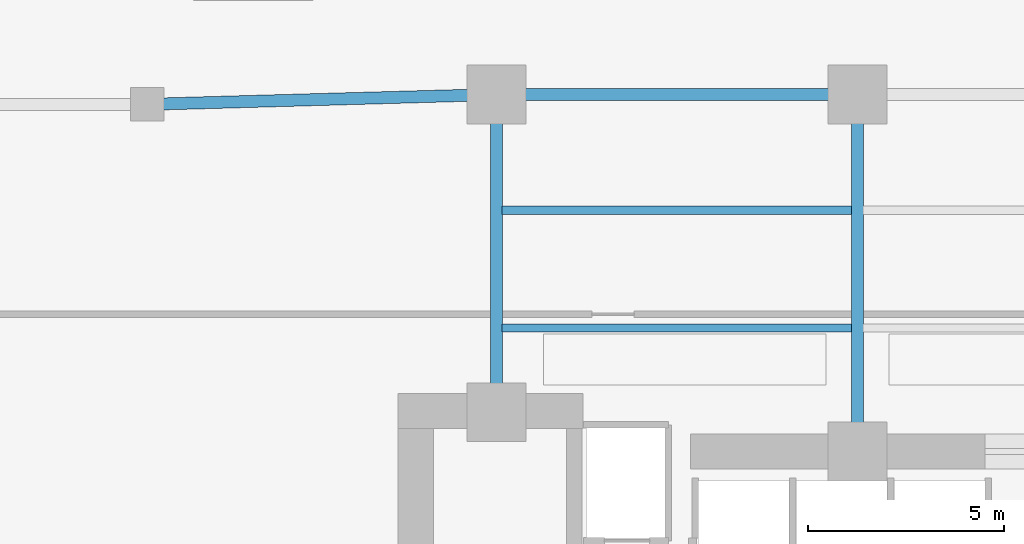
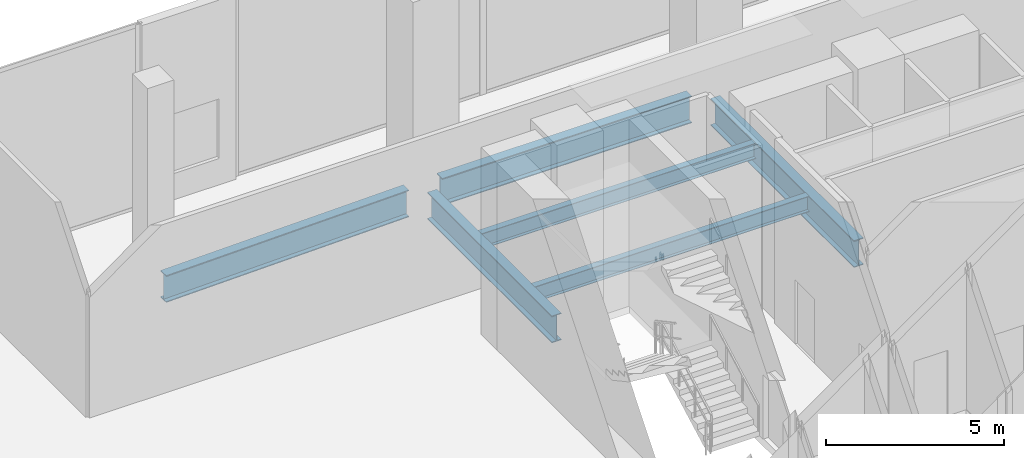
# One storey, part 13 of 30: 6 beams.
"""IFC4 building model written with IfcOpenShell, lengths in metres."""

from ifc_helpers import new_model, si_unit, direction, frame, origin, origin_2d, place, context, subcontext, project, spatial, i_section, extrude, material, material_profile, profile_set, type_object, element, save


model = new_model("IFC4")

# Units and contexts
model_context = context("Model", 3, precision=1e-05, world=origin(), true_north=direction((0.0, 1.0)))
body_context = subcontext(model_context, "Body", "Model", "MODEL_VIEW")
ifc_project = project(units=[si_unit("LENGTHUNIT", "METRE"), si_unit("AREAUNIT", "SQUARE_METRE"), si_unit("VOLUMEUNIT", "CUBIC_METRE"), si_unit("PLANEANGLEUNIT", "RADIAN"), si_unit("MASSUNIT", "GRAM", prefix="KILO")], contexts=[model_context])

# Site, building, storey
site_placement = place(None, origin())
site = spatial("IfcSite", under=ifc_project, at=site_placement, CompositionType="ELEMENT")
building_placement = place(site_placement, origin())
building = spatial("IfcBuilding", under=site, at=building_placement, Name="Zuhayl Quay Hotel", CompositionType="ELEMENT")
storey_placement = place(building_placement, frame((0.0, 0.0, 11.39990234375)))
storey = spatial("IfcBuildingStorey", under=building, at=storey_placement, Name="L02", CompositionType="ELEMENT", Elevation=11.39990234375)

# Beams
ifc_material = material(Name="Steel ASTM A992 Grade 50", Category="steel")
ifc_material_profile_1 = material_profile(ifc_material, i_section(OverallWidth=0.208984375, OverallDepth=0.532958984375, WebThickness=0.01025390625, FlangeThickness=0.015625, at=origin_2d()), Name="W21X62")
ifc_profile_set_1 = profile_set([ifc_material_profile_1], Name="Steel ASTM A992 Grade 50")
beam_type_1 = type_object("IfcBeamType", Name="BM_J1_W21X62", PredefinedType="JOIST", material=ifc_profile_set_1)
for number, where, z_axis, x_axis, name in (
    (1, (-13.654541015625, 16.5, -0.5263671875), (1.0, 0.0, 0.0), (0.0, 1.0, 0.0), "L02 Floor Beam J_POD_L02_4_1"),
    (2, (-13.654541015625, 19.5, -0.5263671875), (1.0, 0.0, 0.0), (0.0, 1.0, 0.0), "L02 Floor Beam J_POD_L02_5_1"),
):
    element("IfcBeam", number, at=place(storey_placement, frame(where, z_axis=z_axis, x_axis=x_axis)), inside=storey, type_object=beam_type_1, Name=name, PredefinedType="JOIST", context=body_context, shape_type="SweptSolid", body=[
        extrude(i_section(OverallWidth=0.208984375, OverallDepth=0.532958984375, WebThickness=0.01025390625, FlangeThickness=0.015625, at=origin_2d()), origin(), (0.0, 0.0, 1.0), 8.908935546875),
    ])
ifc_material_profile_2 = material_profile(ifc_material, i_section(OverallWidth=0.306884765625, OverallDepth=0.927001953125, WebThickness=0.019287109375, FlangeThickness=0.031982421875, at=origin_2d()), Name="W36X194")
ifc_profile_set_2 = profile_set([ifc_material_profile_2], Name="Steel ASTM A992 Grade 50")
beam_type_2 = type_object("IfcBeamType", Name="BM_PG2_W36X194", PredefinedType="BEAM", material=ifc_profile_set_2)
beam_1_placement = place(storey_placement, frame((-22.360107421875, 22.20947265625, -0.723388671875), z_axis=(0.99960539529, 0.028090099801, 0.0), x_axis=(-0.028090099801, 0.99960539529, 0.0)))
element("IfcBeam", 3, at=beam_1_placement, inside=storey, type_object=beam_type_2, Name="L02 Floor Beam PG_N_L02_1", PredefinedType="BEAM", context=body_context, shape_type="SweptSolid", body=[
    extrude(i_section(OverallWidth=0.306884765625, OverallDepth=0.927001953125, WebThickness=0.019287109375, FlangeThickness=0.031982421875, at=origin_2d()), origin(), (0.0, 0.0, 1.0), 8.013427734375),
])
beam_2_placement = place(storey_placement, frame((-13.25, 22.449951171875, -0.723388671875), z_axis=(1.0, 0.0, 0.0), x_axis=(0.0, 1.0, 0.0)))
element("IfcBeam", 4, at=beam_2_placement, inside=storey, type_object=beam_type_2, Name="L02 Floor Beam PG_N_L02_2", PredefinedType="BEAM", context=body_context, shape_type="SweptSolid", body=[
    extrude(i_section(OverallWidth=0.306884765625, OverallDepth=0.927001953125, WebThickness=0.019287109375, FlangeThickness=0.031982421875, at=origin_2d()), origin(), (0.0, 0.0, 1.0), 8.10009765625),
])
beam_3_placement = place(storey_placement, frame((-13.800048828125, 14.919921875, -0.723388671875), z_axis=(0.0, 1.0, 0.0), x_axis=(-1.0, 0.0, 0.0)))
element("IfcBeam", 5, at=beam_3_placement, inside=storey, type_object=beam_type_2, Name="L02 Floor Beam PG_NS3_L02_1", PredefinedType="BEAM", context=body_context, shape_type="SweptSolid", body=[
    extrude(i_section(OverallWidth=0.306884765625, OverallDepth=0.927001953125, WebThickness=0.019287109375, FlangeThickness=0.031982421875, at=origin_2d()), origin(), (0.0, 0.0, 1.0), 7.010009765625),
])
beam_4_placement = place(storey_placement, frame((-4.60009765625, 13.8701171875, -0.723388671875), z_axis=(0.0, 1.0, 0.0), x_axis=(-1.0, 0.0, 0.0)))
element("IfcBeam", 6, at=beam_4_placement, inside=storey, type_object=beam_type_2, Name="L02 Floor Beam PG_NS3_L02_2", PredefinedType="BEAM", context=body_context, shape_type="SweptSolid", body=[
    extrude(i_section(OverallWidth=0.306884765625, OverallDepth=0.927001953125, WebThickness=0.019287109375, FlangeThickness=0.031982421875, at=origin_2d()), origin(), (0.0, 0.0, 1.0), 8.059814453125),
])

save(model, "model.ifc")
